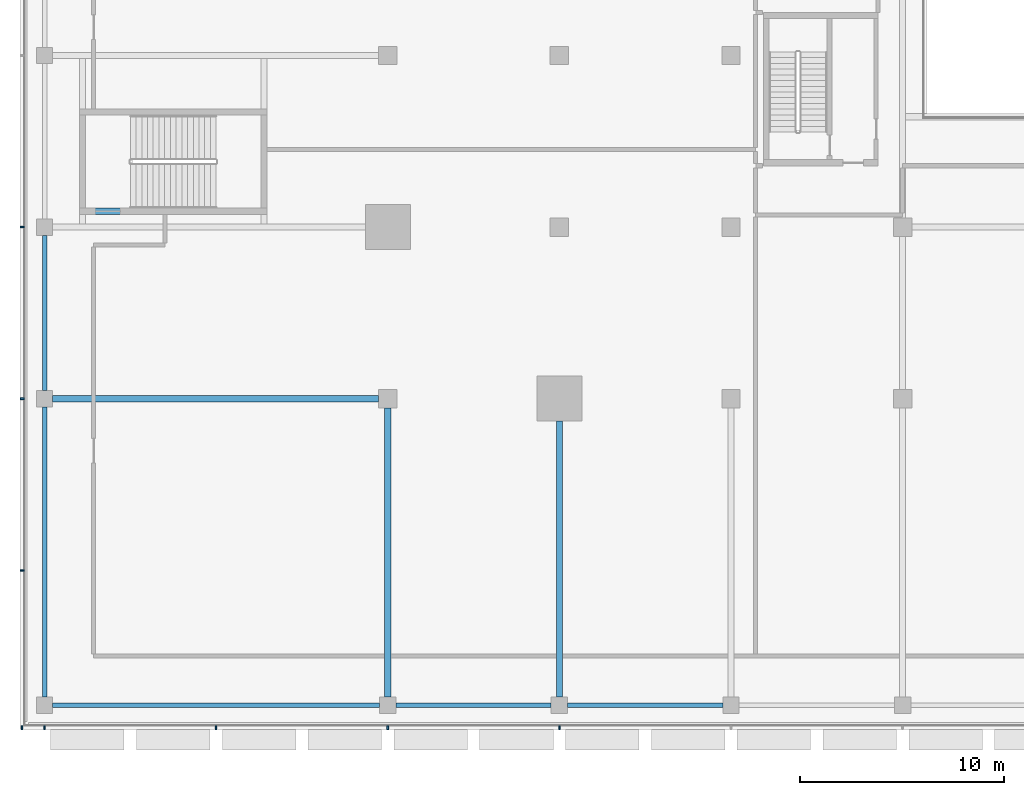
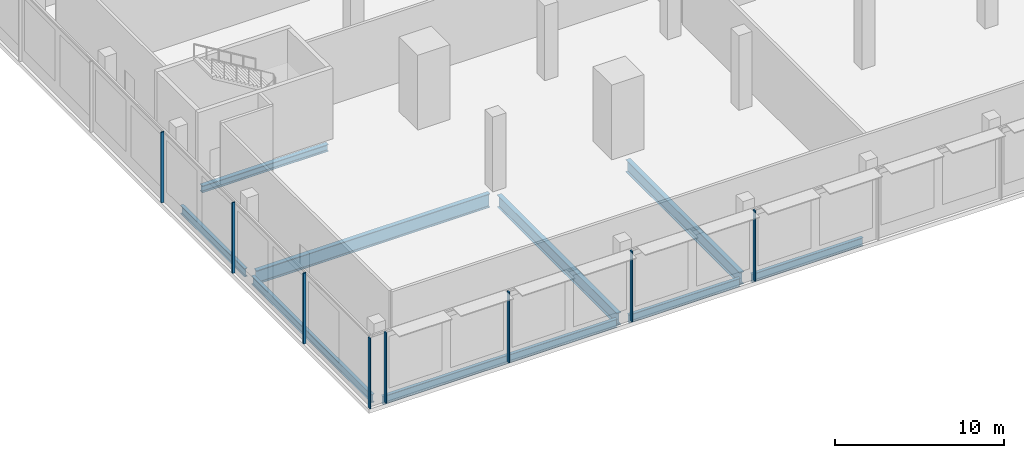
# One storey, part 2 of 39: 9 beams, 8 members, 2 elements without a shape of their own.
"""IFC4 building model written with IfcOpenShell, lengths in metres."""

from ifc_helpers import new_model, si_unit, direction, frame, origin, origin_2d, place, context, subcontext, project, spatial, rectangle, i_section, extrude, material, material_profile, profile_set, type_object, element, aggregate, save


model = new_model("IFC4")

# Units and contexts
model_context = context("Model", 3, precision=1e-05, world=origin(), true_north=direction((0.0, 1.0)))
body_context = subcontext(model_context, "Body", "Model", "MODEL_VIEW")
ifc_project = project(units=[si_unit("LENGTHUNIT", "METRE"), si_unit("AREAUNIT", "SQUARE_METRE"), si_unit("VOLUMEUNIT", "CUBIC_METRE"), si_unit("PLANEANGLEUNIT", "RADIAN"), si_unit("MASSUNIT", "GRAM", prefix="KILO")], contexts=[model_context])

# Site, building, storey
site_placement = place(None, origin())
site = spatial("IfcSite", under=ifc_project, at=site_placement, CompositionType="ELEMENT")
building_placement = place(site_placement, origin())
building = spatial("IfcBuilding", under=site, at=building_placement, Name="Saffron Gate Tower", CompositionType="ELEMENT")
storey_placement = place(building_placement, frame((0.0, 0.0, 9.0)))
storey = spatial("IfcBuildingStorey", under=building, at=storey_placement, Name="L01", CompositionType="ELEMENT", Elevation=9.0)

# Beams
ifc_material_1 = material(Name="Structural steel S355", Category="steel")
ifc_material_profile_1 = material_profile(ifc_material_1, i_section(OverallWidth=0.219970703125, OverallDepth=0.60009765625, WebThickness=0.011962890625, FlangeThickness=0.01904296875, FilletRadius=0.02392578125, at=origin_2d()))
ifc_profile_set_1 = profile_set([ifc_material_profile_1], Name="Structural steel S355")
beam_type_1 = type_object("IfcBeamType", Name="B15 IPE 600", PredefinedType="BEAM", material=ifc_profile_set_1)
beam_1_placement = place(storey_placement, frame((33.39990234375, 16.800048828125, -0.60009765625), z_axis=(1.0, 0.0, 0.0), x_axis=(0.0, 1.0, 0.0)))
element("IfcBeam", 1, at=beam_1_placement, inside=storey, type_object=beam_type_1, Name="B15 PODIUM EDGE BEAM", PredefinedType="BEAM", context=body_context, shape_type="SweptSolid", body=[
    extrude(i_section(OverallWidth=0.219970703125, OverallDepth=0.60009765625, WebThickness=0.011962890625, FlangeThickness=0.01904296875, FilletRadius=0.02392578125, at=origin_2d()), origin(), (0.0, 0.0, 1.0), 16.0),
])
beam_2_placement = place(storey_placement, frame((50.199951171875, 16.800048828125, -0.60009765625), z_axis=(1.0, 0.0, 0.0), x_axis=(0.0, 1.0, 0.0)))
element("IfcBeam", 2, at=beam_2_placement, inside=storey, type_object=beam_type_1, Name="B15 PODIUM EDGE BEAM", PredefinedType="BEAM", context=body_context, shape_type="SweptSolid", body=[
    extrude(i_section(OverallWidth=0.219970703125, OverallDepth=0.60009765625, WebThickness=0.011962890625, FlangeThickness=0.01904296875, FilletRadius=0.02392578125, at=origin_2d()), origin(), (0.0, 0.0, 1.0), 7.60009765625),
])
beam_3_placement = place(storey_placement, frame((58.60009765625, 16.800048828125, -0.60009765625), z_axis=(1.0, 0.0, 0.0), x_axis=(0.0, 1.0, 0.0)))
element("IfcBeam", 3, at=beam_3_placement, inside=storey, type_object=beam_type_1, Name="B15 PODIUM EDGE BEAM", PredefinedType="BEAM", context=body_context, shape_type="SweptSolid", body=[
    extrude(i_section(OverallWidth=0.219970703125, OverallDepth=0.60009765625, WebThickness=0.011962890625, FlangeThickness=0.01904296875, FilletRadius=0.02392578125, at=origin_2d()), origin(), (0.0, 0.0, 1.0), 7.599853515625),
])
beam_4_placement = place(storey_placement, frame((33.0, 17.199951171875, -0.60009765625), z_axis=(0.0, 1.0, 0.0), x_axis=(-1.0, 0.0, 0.0)))
element("IfcBeam", 4, at=beam_4_placement, inside=storey, type_object=beam_type_1, Name="B15 PODIUM EDGE BEAM", PredefinedType="BEAM", context=body_context, shape_type="SweptSolid", body=[
    extrude(i_section(OverallWidth=0.219970703125, OverallDepth=0.60009765625, WebThickness=0.011962890625, FlangeThickness=0.01904296875, FilletRadius=0.02392578125, at=origin_2d()), origin(), (0.0, 0.0, 1.0), 14.199951171875),
])
beam_5_placement = place(storey_placement, frame((33.0, 32.199951171875, -0.60009765625), z_axis=(0.0, 1.0, 0.0), x_axis=(-1.0, 0.0, 0.0)))
element("IfcBeam", 5, at=beam_5_placement, inside=storey, type_object=beam_type_1, Name="B15 PODIUM EDGE BEAM", PredefinedType="BEAM", context=body_context, shape_type="SweptSolid", body=[
    extrude(i_section(OverallWidth=0.219970703125, OverallDepth=0.60009765625, WebThickness=0.011962890625, FlangeThickness=0.01904296875, FilletRadius=0.02392578125, at=origin_2d()), origin(), (0.0, 0.0, 1.0), 7.60009765625),
])
ifc_material_profile_2 = material_profile(ifc_material_1, i_section(OverallWidth=0.300048828125, OverallDepth=0.889892578125, WebThickness=0.01611328125, FlangeThickness=0.030029296875, FilletRadius=0.030029296875, at=origin_2d()))
ifc_profile_set_2 = profile_set([ifc_material_profile_2], Name="Structural steel S355")
beam_type_2 = type_object("IfcBeamType", Name="B19 HEA 900", PredefinedType="BEAM", material=ifc_profile_set_2)
beam_6_placement = place(storey_placement, frame((49.800048828125, 17.199951171875, -0.7451171875), z_axis=(0.0, 1.0, 0.0), x_axis=(-1.0, 0.0, 0.0)))
element("IfcBeam", 6, at=beam_6_placement, inside=storey, type_object=beam_type_2, Name="B19 PODIUM RING GIRDER", PredefinedType="BEAM", context=body_context, shape_type="SweptSolid", body=[
    extrude(i_section(OverallWidth=0.300048828125, OverallDepth=0.889892578125, WebThickness=0.01611328125, FlangeThickness=0.030029296875, FilletRadius=0.030029296875, at=origin_2d()), origin(), (0.0, 0.0, 1.0), 14.150146484375),
])
beam_7_placement = place(storey_placement, frame((58.199951171875, 17.199951171875, -0.7451171875), z_axis=(0.0, 1.0, 0.0), x_axis=(-1.0, 0.0, 0.0)))
element("IfcBeam", 7, at=beam_7_placement, inside=storey, type_object=beam_type_2, Name="B19 PODIUM RING GIRDER", PredefinedType="BEAM", context=body_context, shape_type="SweptSolid", body=[
    extrude(i_section(OverallWidth=0.300048828125, OverallDepth=0.889892578125, WebThickness=0.01611328125, FlangeThickness=0.030029296875, FilletRadius=0.030029296875, at=origin_2d()), origin(), (0.0, 0.0, 1.0), 13.5),
])
ifc_material_profile_3 = material_profile(ifc_material_1, i_section(OverallWidth=0.300048828125, OverallDepth=0.989990234375, WebThickness=0.0166015625, FlangeThickness=0.031005859375, FilletRadius=0.030029296875, at=origin_2d()))
ifc_profile_set_3 = profile_set([ifc_material_profile_3], Name="Structural steel S355")
beam_type_3 = type_object("IfcBeamType", Name="B21 HEA 1000", PredefinedType="BEAM", material=ifc_profile_set_3)
beam_8_placement = place(storey_placement, frame((33.39990234375, 31.800048828125, -0.794921875), z_axis=(1.0, 0.0, 0.0), x_axis=(0.0, 1.0, 0.0)))
element("IfcBeam", 8, at=beam_8_placement, inside=storey, type_object=beam_type_3, Name="B21 PODIUM RING GIRDER", PredefinedType="BEAM", context=body_context, shape_type="SweptSolid", body=[
    extrude(i_section(OverallWidth=0.300048828125, OverallDepth=0.989990234375, WebThickness=0.0166015625, FlangeThickness=0.031005859375, FilletRadius=0.030029296875, at=origin_2d()), origin(), (0.0, 0.0, 1.0), 15.9501953125),
])
ifc_material_profile_4 = material_profile(ifc_material_1, i_section(OverallWidth=0.300048828125, OverallDepth=0.5, WebThickness=0.014404296875, FlangeThickness=0.028076171875, FilletRadius=0.027099609375, at=origin_2d()))
ifc_profile_set_4 = profile_set([ifc_material_profile_4], Name="Structural steel S355")
beam_type_4 = type_object("IfcBeamType", Name="B9 HEB 500", PredefinedType="BEAM", material=ifc_profile_set_4)
beam_9_placement = place(storey_placement, frame((34.989990234375, 40.97509765625, -0.550048828125), z_axis=(1.0, 0.0, 0.0), x_axis=(0.0, 1.0, 0.0)))
element("IfcBeam", 9, at=beam_9_placement, inside=storey, type_object=beam_type_4, Name="B9 STAIR ENCLOSURE TRIMMER BEAM", PredefinedType="BEAM", context=body_context, shape_type="SweptSolid", body=[
    extrude(i_section(OverallWidth=0.300048828125, OverallDepth=0.5, WebThickness=0.014404296875, FlangeThickness=0.028076171875, FilletRadius=0.027099609375, at=origin_2d()), origin(), (0.0, 0.0, 1.0), 8.6201171875),
])

# Curtain wall, members
ifc_material_2 = material(Name="Aluminium, bronze anodised", Category="aluminium")
curtain_wall_type = type_object("IfcCurtainWallType", Name="CWS5 curtain wall podium ring base", PredefinedType="NOTDEFINED", material=ifc_material_2)
curtain_wall_1_placement = place(storey_placement, origin())
curtain_wall_1 = element("IfcCurtainWall", 10, at=curtain_wall_1_placement, inside=storey, type_object=curtain_wall_type, Name="CWS5 run 1", PredefinedType="NOTDEFINED")
ifc_material_profile_5 = material_profile(ifc_material_2, rectangle(XDim=0.199951171875, YDim=0.080078125, at=origin_2d()))
ifc_profile_set_5 = profile_set([ifc_material_profile_5], Name="Aluminium, bronze anodised")
member_type = type_object("IfcMemberType", Name="CWS5 mullion 80x200", PredefinedType="MULLION", material=ifc_profile_set_5)
member_1_placement = place(storey_placement, frame((31.89990234375, 15.699951171875, 0.0), z_axis=(0.0, 0.0, 1.0), x_axis=(0.0, 1.0, 0.0)))
member_1 = element("IfcMember", 11, at=member_1_placement, type_object=member_type, Name="CWS5 mullion 1", PredefinedType="MULLION", context=body_context, shape_type="SweptSolid", body=[
    extrude(rectangle(XDim=0.199951171875, YDim=0.080078125, at=origin_2d()), origin(), (0.0, 0.0, 1.0), 5.10009765625),
])
member_2_placement = place(storey_placement, frame((33.0, 15.699951171875, 0.0), z_axis=(0.0, 0.0, 1.0), x_axis=(0.0, 1.0, 0.0)))
member_2 = element("IfcMember", 12, at=member_2_placement, type_object=member_type, Name="CWS5 mullion 2", PredefinedType="MULLION", context=body_context, shape_type="SweptSolid", body=[
    extrude(rectangle(XDim=0.199951171875, YDim=0.080078125, at=origin_2d()), origin(), (0.0, 0.0, 1.0), 5.10009765625),
])
member_3_placement = place(storey_placement, frame((41.39990234375, 15.699951171875, 0.0), z_axis=(0.0, 0.0, 1.0), x_axis=(0.0, 1.0, 0.0)))
member_3 = element("IfcMember", 13, at=member_3_placement, type_object=member_type, Name="CWS5 mullion 3", PredefinedType="MULLION", context=body_context, shape_type="SweptSolid", body=[
    extrude(rectangle(XDim=0.199951171875, YDim=0.080078125, at=origin_2d()), origin(), (0.0, 0.0, 1.0), 5.10009765625),
])
member_4_placement = place(storey_placement, frame((49.800048828125, 15.699951171875, 0.0), z_axis=(0.0, 0.0, 1.0), x_axis=(0.0, 1.0, 0.0)))
member_4 = element("IfcMember", 14, at=member_4_placement, type_object=member_type, Name="CWS5 mullion 4", PredefinedType="MULLION", context=body_context, shape_type="SweptSolid", body=[
    extrude(rectangle(XDim=0.199951171875, YDim=0.080078125, at=origin_2d()), origin(), (0.0, 0.0, 1.0), 5.10009765625),
])
member_5_placement = place(storey_placement, frame((58.199951171875, 15.699951171875, 0.0), z_axis=(0.0, 0.0, 1.0), x_axis=(0.0, 1.0, 0.0)))
member_5 = element("IfcMember", 15, at=member_5_placement, type_object=member_type, Name="CWS5 mullion 5", PredefinedType="MULLION", context=body_context, shape_type="SweptSolid", body=[
    extrude(rectangle(XDim=0.199951171875, YDim=0.080078125, at=origin_2d()), origin(), (0.0, 0.0, 1.0), 5.10009765625),
])
aggregate(curtain_wall_1, [member_1, member_2, member_3, member_4, member_5])

curtain_wall_2_placement = place(storey_placement, origin())
curtain_wall_2 = element("IfcCurtainWall", 16, at=curtain_wall_2_placement, inside=storey, type_object=curtain_wall_type, Name="CWS5 run 4", PredefinedType="NOTDEFINED")
member_6_placement = place(storey_placement, frame((31.89990234375, 40.199951171875, 0.0), z_axis=(0.0, 0.0, 1.0), x_axis=(1.0, 0.0, 0.0)))
member_6 = element("IfcMember", 17, at=member_6_placement, type_object=member_type, Name="CWS5 mullion 7", PredefinedType="MULLION", context=body_context, shape_type="SweptSolid", body=[
    extrude(rectangle(XDim=0.199951171875, YDim=0.080078125, at=origin_2d()), origin(), (0.0, 0.0, 1.0), 5.10009765625),
])
member_7_placement = place(storey_placement, frame((31.89990234375, 31.800048828125, 0.0), z_axis=(0.0, 0.0, 1.0), x_axis=(1.0, 0.0, 0.0)))
member_7 = element("IfcMember", 18, at=member_7_placement, type_object=member_type, Name="CWS5 mullion 8", PredefinedType="MULLION", context=body_context, shape_type="SweptSolid", body=[
    extrude(rectangle(XDim=0.199951171875, YDim=0.080078125, at=origin_2d()), origin(), (0.0, 0.0, 1.0), 5.10009765625),
])
member_8_placement = place(storey_placement, frame((31.89990234375, 23.39990234375, 0.0), z_axis=(0.0, 0.0, 1.0), x_axis=(1.0, 0.0, 0.0)))
member_8 = element("IfcMember", 19, at=member_8_placement, type_object=member_type, Name="CWS5 mullion 9", PredefinedType="MULLION", context=body_context, shape_type="SweptSolid", body=[
    extrude(rectangle(XDim=0.199951171875, YDim=0.080078125, at=origin_2d()), origin(), (0.0, 0.0, 1.0), 5.10009765625),
])
aggregate(curtain_wall_2, [member_6, member_7, member_8])

save(model, "model.ifc")
